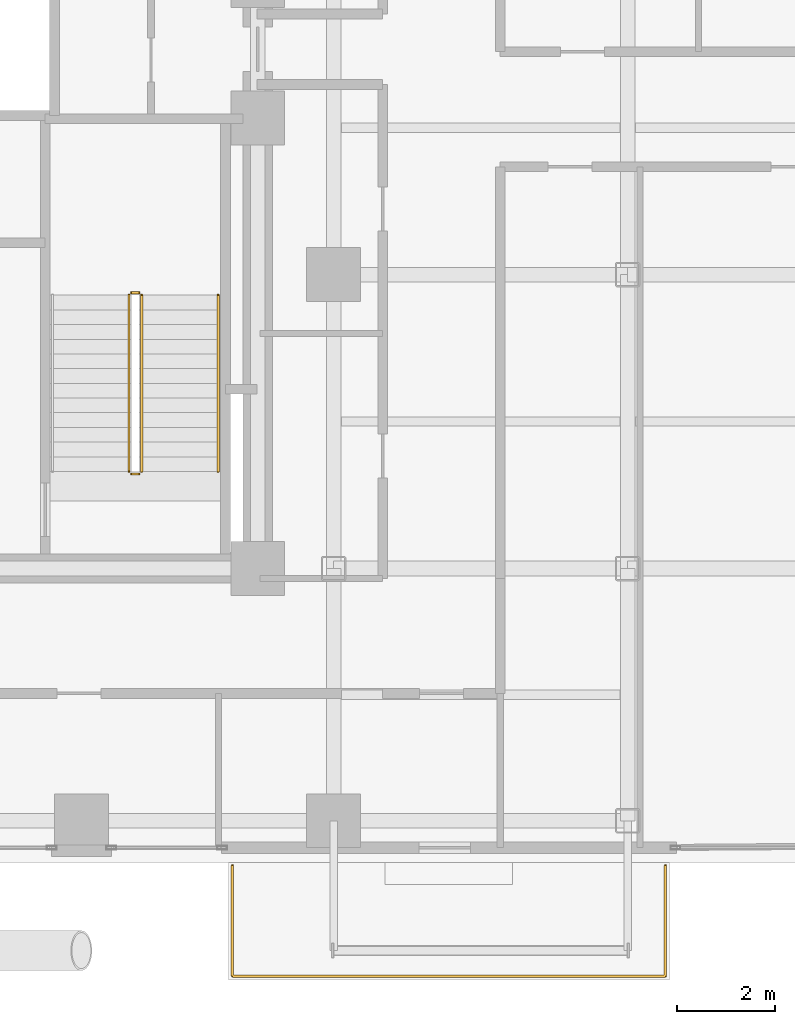
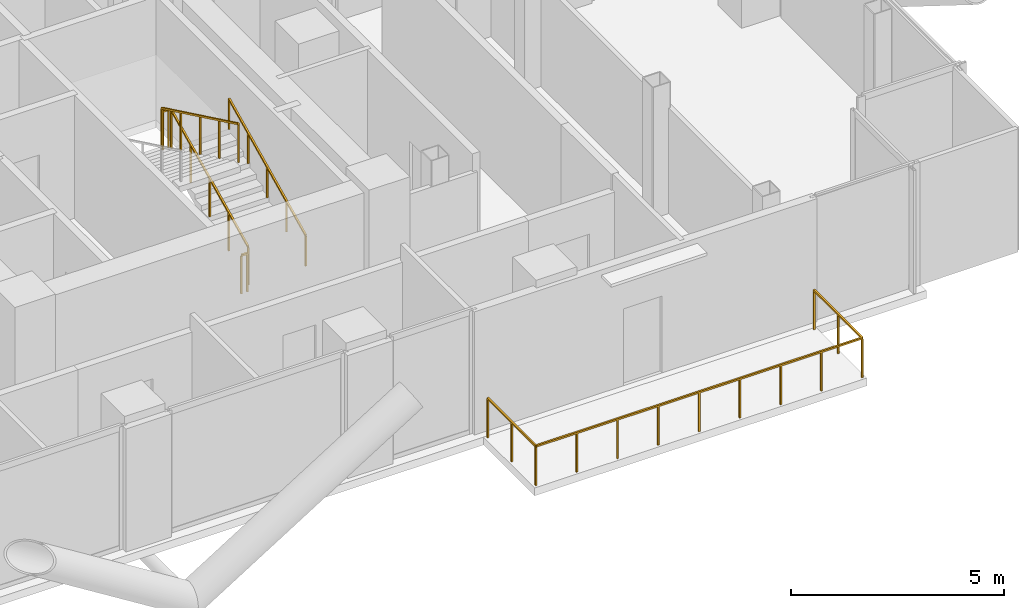
# One storey, part 27 of 28: 6 railings.
"""IFC4 building model written with IfcOpenShell, lengths in metres."""

from ifc_helpers import new_model, si_unit, direction, frame, origin, origin_2d, place, context, subcontext, project, spatial, rectangle, extrude, material, type_object, element, save


model = new_model("IFC4")

# Units and contexts
model_context = context("Model", 3, precision=1e-05, world=origin(), true_north=direction((0.0, 1.0)))
body_context = subcontext(model_context, "Body", "Model", "MODEL_VIEW")
ifc_project = project(units=[si_unit("LENGTHUNIT", "METRE"), si_unit("AREAUNIT", "SQUARE_METRE"), si_unit("VOLUMEUNIT", "CUBIC_METRE"), si_unit("PLANEANGLEUNIT", "RADIAN"), si_unit("MASSUNIT", "GRAM", prefix="KILO"), si_unit("THERMODYNAMICTEMPERATUREUNIT", "KELVIN"), si_unit("POWERUNIT", "WATT")], contexts=[model_context])

# Site, building, storey
site_placement = place(None, origin())
site = spatial("IfcSite", under=ifc_project, at=site_placement, CompositionType="ELEMENT")
building_placement = place(site_placement, origin())
building = spatial("IfcBuilding", under=site, at=building_placement, Name="Svarakhadi Broadcast Tower", CompositionType="ELEMENT")
storey_placement = place(building_placement, frame((0.0, 0.0, 153.14990234375)))
storey = spatial("IfcBuildingStorey", under=building, at=storey_placement, Name="L37", CompositionType="ELEMENT", Elevation=153.14990234375)

# Railings
ifc_material_1 = material(Name="Laminated Structural SentryGlas Balustrade 25.5 mm", Category="glass")
railing_type_1 = type_object("IfcRailingType", Name="Guard_Balcony_GR01", PredefinedType="BALUSTRADE", material=ifc_material_1)
railing_1_placement = place(storey_placement, frame((33.080078125, -0.06005859375, 0.0)))
element("IfcRailing", 1, at=railing_1_placement, inside=storey, type_object=railing_type_1, Name="L37 South Tree Balcony Guard GR-05", PredefinedType="BALUSTRADE", context=body_context, shape_type="SweptSolid", body=[
    extrude(rectangle(XDim=0.048095703125, YDim=0.048095703125, at=origin_2d()), frame((0.0, 0.0, 1.1259765625), z_axis=(0.0, -1.0, 0.0), x_axis=(1.0, 0.0, 0.0)), (0.0, 0.0, 1.0), 2.260009765625),
    extrude(rectangle(XDim=0.048095703125, YDim=0.048095703125, at=origin_2d()), frame((0.0, -2.260009765625, 1.1259765625), z_axis=(1.0, 0.0, 0.0), x_axis=(0.0, 1.0, 0.0)), (0.0, 0.0, 1.0), 8.83984375),
    extrude(rectangle(XDim=0.048095703125, YDim=0.048095703125, at=origin_2d()), frame((8.83984375, -2.260009765625, 1.1259765625), z_axis=(0.0, 1.0, 0.0), x_axis=(-1.0, 0.0, 0.0)), (0.0, 0.0, 1.0), 2.260009765625),
    extrude(rectangle(XDim=0.0419921875, YDim=0.0419921875, at=origin_2d()), origin(), (0.0, 0.0, 1.0), 1.101806640625),
    extrude(rectangle(XDim=0.0419921875, YDim=0.0419921875, at=origin_2d()), frame((0.0, -1.1298828125, 0.0)), (0.0, 0.0, 1.0), 1.101806640625),
    extrude(rectangle(XDim=0.0419921875, YDim=0.0419921875, at=origin_2d()), frame((0.0, -2.260009765625, 0.0)), (0.0, 0.0, 1.0), 1.101806640625),
    extrude(rectangle(XDim=0.0419921875, YDim=0.0419921875, at=origin_2d()), frame((1.10498046875, -2.260009765625, 0.0)), (0.0, 0.0, 1.0), 1.101806640625),
    extrude(rectangle(XDim=0.0419921875, YDim=0.0419921875, at=origin_2d()), frame((2.2099609375, -2.260009765625, 0.0)), (0.0, 0.0, 1.0), 1.101806640625),
    extrude(rectangle(XDim=0.0419921875, YDim=0.0419921875, at=origin_2d()), frame((3.31494140625, -2.260009765625, 0.0)), (0.0, 0.0, 1.0), 1.101806640625),
    extrude(rectangle(XDim=0.0419921875, YDim=0.0419921875, at=origin_2d()), frame((4.419921875, -2.260009765625, 0.0)), (0.0, 0.0, 1.0), 1.101806640625),
    extrude(rectangle(XDim=0.0419921875, YDim=0.0419921875, at=origin_2d()), frame((5.52490234375, -2.260009765625, 0.0)), (0.0, 0.0, 1.0), 1.101806640625),
    extrude(rectangle(XDim=0.0419921875, YDim=0.0419921875, at=origin_2d()), frame((6.6298828125, -2.260009765625, 0.0)), (0.0, 0.0, 1.0), 1.101806640625),
    extrude(rectangle(XDim=0.0419921875, YDim=0.0419921875, at=origin_2d()), frame((7.73486328125, -2.260009765625, 0.0)), (0.0, 0.0, 1.0), 1.101806640625),
    extrude(rectangle(XDim=0.0419921875, YDim=0.0419921875, at=origin_2d()), frame((8.83984375, -2.260009765625, 0.0)), (0.0, 0.0, 1.0), 1.101806640625),
    extrude(rectangle(XDim=0.0419921875, YDim=0.0419921875, at=origin_2d()), frame((8.83984375, -1.1298828125, 0.0)), (0.0, 0.0, 1.0), 1.101806640625),
    extrude(rectangle(XDim=0.0419921875, YDim=0.0419921875, at=origin_2d()), frame((8.83984375, 0.0, 0.0)), (0.0, 0.0, 1.0), 1.101806640625),
])
ifc_material_2 = material(Name="Anodised Bronze Aluminium AA 6063-T6", Category="aluminium")
railing_type_2 = type_object("IfcRailingType", Name="Guard_Stair_GR01", PredefinedType="GUARDRAIL", material=ifc_material_2)
railing_2_placement = place(storey_placement, frame((31.22998046875, 7.97998046875, 0.144287109375)))
element("IfcRailing", 2, at=railing_2_placement, inside=storey, type_object=railing_type_2, Name="L37 ST-02 stair guard 1", PredefinedType="GUARDRAIL", context=body_context, shape_type="SweptSolid", body=[
    extrude(rectangle(XDim=0.048095703125, YDim=0.048095703125, at=origin_2d()), frame((0.0, 0.0, 1.09619140625), z_axis=(0.0, 0.901262522062, 0.433273431364), x_axis=(-1.0, 0.0, 0.0)), (0.0, 0.0, 1.0), 3.994384765625),
    extrude(rectangle(XDim=0.0419921875, YDim=0.0419921875, at=origin_2d()), origin(), (0.0, 0.0, 1.0), 1.072021484375),
    extrude(rectangle(XDim=0.0419921875, YDim=0.0419921875, at=origin_2d()), frame((0.0, 0.89990234375, 0.4326171875)), (0.0, 0.0, 1.0), 1.072021484375),
    extrude(rectangle(XDim=0.0419921875, YDim=0.0419921875, at=origin_2d()), frame((0.0, 1.800048828125, 0.865234375)), (0.0, 0.0, 1.0), 1.072021484375),
    extrude(rectangle(XDim=0.0419921875, YDim=0.0419921875, at=origin_2d()), frame((0.0, 2.7001953125, 1.298095703125)), (0.0, 0.0, 1.0), 1.072021484375),
    extrude(rectangle(XDim=0.0419921875, YDim=0.0419921875, at=origin_2d()), frame((0.0, 3.60009765625, 1.730712890625)), (0.0, 0.0, 1.0), 1.072021484375),
])
railing_3_placement = place(storey_placement, frame((31.179931640625, 11.6298828125, 1.875)))
element("IfcRailing", 3, at=railing_3_placement, inside=storey, type_object=railing_type_2, Name="L37 ST-02 stair guard 2", PredefinedType="GUARDRAIL", context=body_context, shape_type="SweptSolid", body=[
    extrude(rectangle(XDim=0.048095703125, YDim=0.048095703125, at=origin_2d()), frame((0.0, 0.0, 1.09619140625), z_axis=(-1.0, 0.0, 0.0), x_axis=(0.0, -1.0, 0.0)), (0.0, 0.0, 1.0), 0.159912109375),
    extrude(rectangle(XDim=0.0419921875, YDim=0.0419921875, at=origin_2d()), origin(), (0.0, 0.0, 1.0), 1.072021484375),
    extrude(rectangle(XDim=0.0419921875, YDim=0.0419921875, at=origin_2d()), frame((-0.159912109375, 0.0, 0.0)), (0.0, 0.0, 1.0), 1.072021484375),
])
railing_4_placement = place(storey_placement, frame((30.969970703125, 11.580078125, 2.019287109375)))
element("IfcRailing", 4, at=railing_4_placement, inside=storey, type_object=railing_type_2, Name="L37 ST-02 stair guard 3", PredefinedType="GUARDRAIL", context=body_context, shape_type="SweptSolid", body=[
    extrude(rectangle(XDim=0.048095703125, YDim=0.048095703125, at=origin_2d()), frame((0.0, 0.0, 1.09619140625), z_axis=(0.0, -0.901262522062, 0.433273431364), x_axis=(1.0, 0.0, 0.0)), (0.0, 0.0, 1.0), 3.994384765625),
    extrude(rectangle(XDim=0.0419921875, YDim=0.0419921875, at=origin_2d()), origin(), (0.0, 0.0, 1.0), 1.072021484375),
    extrude(rectangle(XDim=0.0419921875, YDim=0.0419921875, at=origin_2d()), frame((0.0, -0.89990234375, 0.4326171875)), (0.0, 0.0, 1.0), 1.072021484375),
    extrude(rectangle(XDim=0.0419921875, YDim=0.0419921875, at=origin_2d()), frame((0.0, -1.800048828125, 0.865234375)), (0.0, 0.0, 1.0), 1.072021484375),
    extrude(rectangle(XDim=0.0419921875, YDim=0.0419921875, at=origin_2d()), frame((0.0, -2.7001953125, 1.298095703125)), (0.0, 0.0, 1.0), 1.072021484375),
    extrude(rectangle(XDim=0.0419921875, YDim=0.0419921875, at=origin_2d()), frame((0.0, -3.60009765625, 1.730712890625)), (0.0, 0.0, 1.0), 1.072021484375),
])
railing_5_placement = place(storey_placement, frame((31.179931640625, 7.929931640625, 0.0)))
element("IfcRailing", 5, at=railing_5_placement, inside=storey, type_object=railing_type_2, Name="L37 ST-02 stair guard 4", PredefinedType="GUARDRAIL", context=body_context, shape_type="SweptSolid", body=[
    extrude(rectangle(XDim=0.048095703125, YDim=0.048095703125, at=origin_2d()), frame((0.0, 0.0, 1.09619140625), z_axis=(-1.0, 0.0, 0.0), x_axis=(0.0, -1.0, 0.0)), (0.0, 0.0, 1.0), 0.159912109375),
    extrude(rectangle(XDim=0.0419921875, YDim=0.0419921875, at=origin_2d()), origin(), (0.0, 0.0, 1.0), 1.072021484375),
    extrude(rectangle(XDim=0.0419921875, YDim=0.0419921875, at=origin_2d()), frame((-0.159912109375, 0.0, 0.0)), (0.0, 0.0, 1.0), 1.072021484375),
])
railing_type_3 = type_object("IfcRailingType", Name="Handrail_Stair_HR01", PredefinedType="HANDRAIL", material=ifc_material_2)
railing_6_placement = place(storey_placement, frame((32.7900390625, 7.97998046875, 0.144287109375)))
element("IfcRailing", 6, at=railing_6_placement, inside=storey, type_object=railing_type_3, Name="L37 ST-02 stair handrail 1", PredefinedType="HANDRAIL", context=body_context, shape_type="SweptSolid", body=[
    extrude(rectangle(XDim=0.048095703125, YDim=0.048095703125, at=origin_2d()), frame((0.0, 0.0, 0.8759765625), z_axis=(0.0, 0.901262522062, 0.433273431364), x_axis=(-1.0, 0.0, 0.0)), (0.0, 0.0, 1.0), 3.994384765625),
    extrude(rectangle(XDim=0.0419921875, YDim=0.0419921875, at=origin_2d()), origin(), (0.0, 0.0, 1.0), 0.851806640625),
    extrude(rectangle(XDim=0.0419921875, YDim=0.0419921875, at=origin_2d()), frame((0.0, 0.89990234375, 0.4326171875)), (0.0, 0.0, 1.0), 0.851806640625),
    extrude(rectangle(XDim=0.0419921875, YDim=0.0419921875, at=origin_2d()), frame((0.0, 1.800048828125, 0.865234375)), (0.0, 0.0, 1.0), 0.851806640625),
    extrude(rectangle(XDim=0.0419921875, YDim=0.0419921875, at=origin_2d()), frame((0.0, 2.7001953125, 1.298095703125)), (0.0, 0.0, 1.0), 0.851806640625),
    extrude(rectangle(XDim=0.0419921875, YDim=0.0419921875, at=origin_2d()), frame((0.0, 3.60009765625, 1.730712890625)), (0.0, 0.0, 1.0), 0.851806640625),
])

save(model, "model.ifc")
